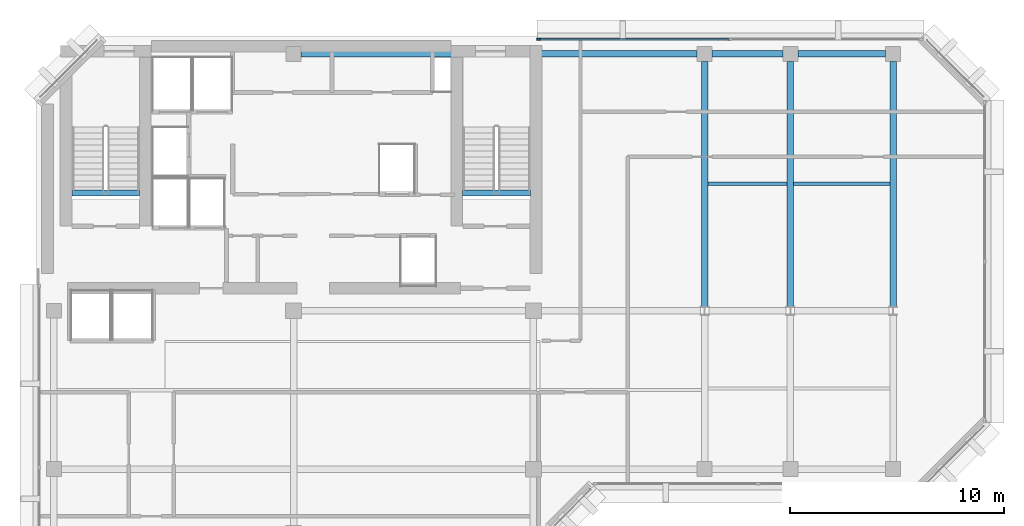
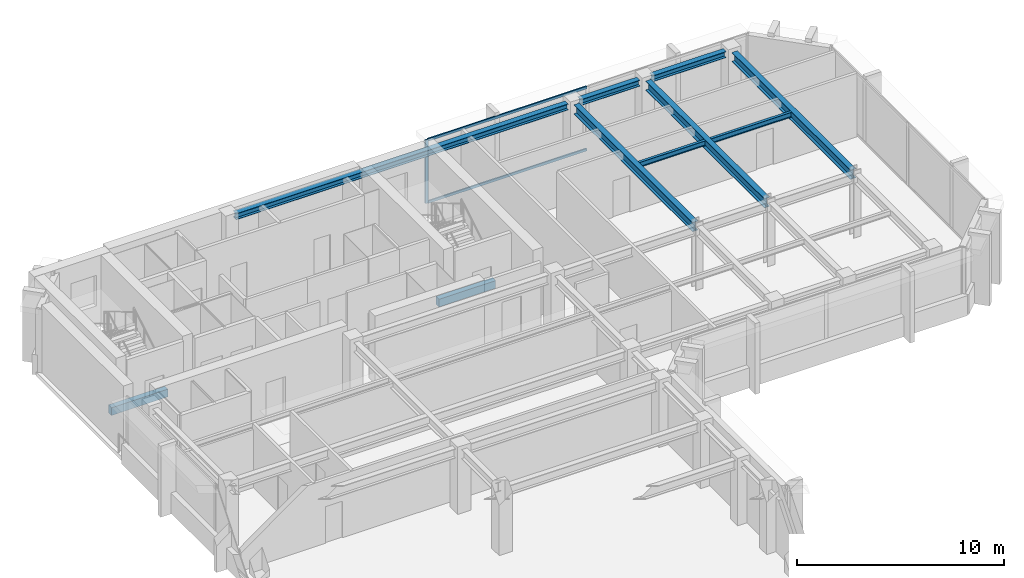
# One storey, part 4 of 12: 10 beams, 3 members, 1 element without a shape of its own.
"""IFC4 building model written with IfcOpenShell, lengths in metres."""

from ifc_helpers import new_model, si_unit, direction, frame, origin, origin_2d, place, context, subcontext, project, spatial, rectangle, i_section, extrude, material, layer, layer_set, material_profile, profile_set, type_object, element, aggregate, save


model = new_model("IFC4")

# Units and contexts
model_context = context("Model", 3, precision=1e-05, world=origin(), true_north=direction((0.0, 1.0)))
body_context = subcontext(model_context, "Body", "Model", "MODEL_VIEW")
ifc_project = project(units=[si_unit("LENGTHUNIT", "METRE"), si_unit("AREAUNIT", "SQUARE_METRE"), si_unit("VOLUMEUNIT", "CUBIC_METRE"), si_unit("PLANEANGLEUNIT", "RADIAN"), si_unit("MASSUNIT", "GRAM", prefix="KILO")], contexts=[model_context])

# Site, building, storey
site_placement = place(None, origin())
site = spatial("IfcSite", under=ifc_project, at=site_placement, CompositionType="ELEMENT")
building_placement = place(site_placement, origin())
building = spatial("IfcBuilding", under=site, at=building_placement, Name="Kefirva Bronze Tower", CompositionType="ELEMENT")
storey_placement = place(building_placement, frame((0.0, 0.0, 339.570068359375)))
storey = spatial("IfcBuildingStorey", under=building, at=storey_placement, Name="L83", CompositionType="ELEMENT", Elevation=339.570068359375)

# Curtain wall, members
ifc_material_1 = material(Name="Bronze anodised aluminium", Category="aluminium")
ifc_layer = layer(ifc_material_1, 0.179931640625, Name="Bronze anodised aluminium")
ifc_layer_set = layer_set([ifc_layer], Name="Bronze anodised aluminium")
curtain_wall_type = type_object("IfcCurtainWallType", Name="Unitised Bronze Ribbon Curtain Wall Zone 4", PredefinedType="USERDEFINED", material=ifc_layer_set)
curtain_wall_placement = place(storey_placement, origin())
curtain_wall = element("IfcCurtainWall", 1, at=curtain_wall_placement, inside=storey, type_object=curtain_wall_type, Name="L83 Curtain Wall 3", ObjectType="UNITISED CURTAIN WALL", PredefinedType="USERDEFINED")
ifc_material_profile_1 = material_profile(ifc_material_1, rectangle(XDim=0.074951171875, YDim=0.179931640625, at=origin_2d()), Name="ALU 75x180")
ifc_profile_set_1 = profile_set([ifc_material_profile_1], Name="Bronze anodised aluminium")
member_type_1 = type_object("IfcMemberType", Name="Bronze Mullion 75x180", PredefinedType="MULLION", material=ifc_profile_set_1)
member_1_placement = place(storey_placement, frame((23.4423828125, 45.8798828125, 0.0), z_axis=(0.0, 0.0, 1.0), x_axis=(0.0, -1.0, 0.0)))
member_1 = element("IfcMember", 2, at=member_1_placement, type_object=member_type_1, Name="CW-04 mullion 3", PredefinedType="MULLION", context=body_context, shape_type="SweptSolid", body=[
    extrude(rectangle(XDim=0.074951171875, YDim=0.179931640625, at=origin_2d()), origin(), (0.0, 0.0, 1.0), 3.739990234375),
])
ifc_material_profile_2 = material_profile(ifc_material_1, rectangle(XDim=0.074951171875, YDim=0.14990234375, at=origin_2d()), Name="ALU 75x150")
ifc_profile_set_2 = profile_set([ifc_material_profile_2], Name="Bronze anodised aluminium")
member_type_2 = type_object("IfcMemberType", Name="Bronze Transom 75x150", PredefinedType="USERDEFINED", material=ifc_profile_set_2)
member_2_placement = place(storey_placement, frame((32.33740234375, 45.8798828125, 0.037353515625), z_axis=(-1.0, 0.0, 0.0), x_axis=(0.0, -1.0, 0.0)))
member_2 = element("IfcMember", 3, at=member_2_placement, type_object=member_type_2, Name="CW-04 transom 2.1", ObjectType="TRANSOM", PredefinedType="USERDEFINED", context=body_context, shape_type="SweptSolid", body=[
    extrude(rectangle(XDim=0.074951171875, YDim=0.14990234375, at=origin_2d()), origin(), (0.0, 0.0, 1.0), 8.857421875),
])
member_3_placement = place(storey_placement, frame((32.33740234375, 45.8798828125, 3.702392578125), z_axis=(-1.0, 0.0, 0.0), x_axis=(0.0, -1.0, 0.0)))
member_3 = element("IfcMember", 4, at=member_3_placement, type_object=member_type_2, Name="CW-04 transom 2.2", ObjectType="TRANSOM", PredefinedType="USERDEFINED", context=body_context, shape_type="SweptSolid", body=[
    extrude(rectangle(XDim=0.074951171875, YDim=0.14990234375, at=origin_2d()), origin(), (0.0, 0.0, 1.0), 8.857421875),
])
aggregate(curtain_wall, [member_1, member_2, member_3])

# Beams
ifc_material_2 = material(Name="Concrete C50/60", Category="concrete")
ifc_material_profile_3 = material_profile(ifc_material_2, rectangle(XDim=0.300048828125, YDim=0.449951171875, at=origin_2d()), Name="RC 300x450")
ifc_profile_set_3 = profile_set([ifc_material_profile_3], Name="Concrete C50/60")
beam_type_1 = type_object("IfcBeamType", Name="RC Stair Trimmer Beam 300x450", PredefinedType="BEAM", material=ifc_profile_set_3)
beam_1_placement = place(storey_placement, frame((1.64501953125, 38.699951171875, -0.22509765625), z_axis=(1.0, 0.0, 0.0), x_axis=(0.0, 1.0, 0.0)))
element("IfcBeam", 5, at=beam_1_placement, inside=storey, type_object=beam_type_1, Name="L83 Stair 1 Landing Trimmer Beam", PredefinedType="BEAM", context=body_context, shape_type="SweptSolid", body=[
    extrude(rectangle(XDim=0.300048828125, YDim=0.449951171875, at=origin_2d()), origin(), (0.0, 0.0, 1.0), 3.14990234375),
])
beam_2_placement = place(storey_placement, frame((19.89501953125, 38.699951171875, -0.22509765625), z_axis=(1.0, 0.0, 0.0), x_axis=(0.0, 1.0, 0.0)))
element("IfcBeam", 6, at=beam_2_placement, inside=storey, type_object=beam_type_1, Name="L83 Stair 2 Landing Trimmer Beam", PredefinedType="BEAM", context=body_context, shape_type="SweptSolid", body=[
    extrude(rectangle(XDim=0.300048828125, YDim=0.449951171875, at=origin_2d()), origin(), (0.0, 0.0, 1.0), 3.159912109375),
])
ifc_material_3 = material(Name="Steel S355", Category="steel")
ifc_material_profile_4 = material_profile(ifc_material_3, i_section(OverallWidth=0.14990234375, OverallDepth=0.300048828125, WebThickness=0.007080078125, FlangeThickness=0.0107421875, at=origin_2d()), Name="IPE 300")
ifc_profile_set_4 = profile_set([ifc_material_profile_4], Name="Steel S355")
beam_type_2 = type_object("IfcBeamType", Name="Steel Floor Joist IPE 300", PredefinedType="JOIST", material=ifc_profile_set_4)
beam_3_placement = place(storey_placement, frame((31.35009765625, 39.12890625, 3.58984375), z_axis=(1.0, 0.0, 0.0), x_axis=(0.0, 1.0, 0.0)))
element("IfcBeam", 7, at=beam_3_placement, inside=storey, type_object=beam_type_2, Name="L83 JST-L83-31-391", PredefinedType="JOIST", context=body_context, shape_type="SweptSolid", body=[
    extrude(i_section(OverallWidth=0.14990234375, OverallDepth=0.300048828125, WebThickness=0.007080078125, FlangeThickness=0.0107421875, at=origin_2d()), origin(), (0.0, 0.0, 1.0), 3.699951171875),
])
beam_4_placement = place(storey_placement, frame((35.35009765625, 39.12890625, 3.58984375), z_axis=(1.0, 0.0, 0.0), x_axis=(0.0, 1.0, 0.0)))
element("IfcBeam", 8, at=beam_4_placement, inside=storey, type_object=beam_type_2, Name="L83 JST-L83-35-391", PredefinedType="JOIST", context=body_context, shape_type="SweptSolid", body=[
    extrude(i_section(OverallWidth=0.14990234375, OverallDepth=0.300048828125, WebThickness=0.007080078125, FlangeThickness=0.0107421875, at=origin_2d()), origin(), (0.0, 0.0, 1.0), 4.5),
])
ifc_material_profile_5 = material_profile(ifc_material_3, i_section(OverallWidth=0.300048828125, OverallDepth=0.550048828125, WebThickness=0.014892578125, FlangeThickness=0.029052734375, at=origin_2d()), Name="HEB 550")
ifc_profile_set_5 = profile_set([ifc_material_profile_5], Name="Steel S355")
beam_type_3 = type_object("IfcBeamType", Name="Steel Girder HEB 550", PredefinedType="USERDEFINED", material=ifc_profile_set_5)
for number, where, z_axis, x_axis, name in (
    (9, (31.199951171875, 33.407958984375, 3.46484375), (0.0, 1.0, 0.0), (-1.0, 0.0, 0.0), "L83 BM-L83-NS-312-33"),
    (10, (35.199951171875, 33.407958984375, 3.46484375), (0.0, 1.0, 0.0), (-1.0, 0.0, 0.0), "L83 BM-L83-NS-352-33"),
    (11, (40.0, 33.407958984375, 3.46484375), (0.0, 1.0, 0.0), (-1.0, 0.0, 0.0), "L83 BM-L83-NS-400-33"),
):
    element("IfcBeam", number, at=place(storey_placement, frame(where, z_axis=z_axis, x_axis=x_axis)), inside=storey, type_object=beam_type_3, Name=name, ObjectType="GIRDER", PredefinedType="USERDEFINED", context=body_context, shape_type="SweptSolid", body=[
        extrude(i_section(OverallWidth=0.300048828125, OverallDepth=0.550048828125, WebThickness=0.014892578125, FlangeThickness=0.029052734375, at=origin_2d()), origin(), (0.0, 0.0, 1.0), 11.442138671875),
    ])
ifc_material_profile_6 = material_profile(ifc_material_3, i_section(OverallWidth=0.300048828125, OverallDepth=0.360107421875, WebThickness=0.012451171875, FlangeThickness=0.0224609375, at=origin_2d()), Name="HEB 360")
ifc_profile_set_6 = profile_set([ifc_material_profile_6], Name="Steel S355")
beam_type_4 = type_object("IfcBeamType", Name="Steel Spandrel HEB 360 Ext", PredefinedType="SPANDREL", material=ifc_profile_set_6)
beam_5_placement = place(storey_placement, frame((12.35009765625, 45.199951171875, 3.559814453125), z_axis=(1.0, 0.0, 0.0), x_axis=(0.0, 1.0, 0.0)))
element("IfcBeam", 12, at=beam_5_placement, inside=storey, type_object=beam_type_4, Name="L83 BM-L83-EW-12-452", PredefinedType="SPANDREL", context=body_context, shape_type="SweptSolid", body=[
    extrude(i_section(OverallWidth=0.300048828125, OverallDepth=0.360107421875, WebThickness=0.012451171875, FlangeThickness=0.0224609375, at=origin_2d()), origin(), (0.0, 0.0, 1.0), 18.5),
])
beam_6_placement = place(storey_placement, frame((31.550048828125, 45.199951171875, 3.559814453125), z_axis=(1.0, 0.0, 0.0), x_axis=(0.0, 1.0, 0.0)))
element("IfcBeam", 13, at=beam_6_placement, inside=storey, type_object=beam_type_4, Name="L83 BM-L83-EW-31-452", PredefinedType="SPANDREL", context=body_context, shape_type="SweptSolid", body=[
    extrude(i_section(OverallWidth=0.300048828125, OverallDepth=0.360107421875, WebThickness=0.012451171875, FlangeThickness=0.0224609375, at=origin_2d()), origin(), (0.0, 0.0, 1.0), 3.300048828125),
])
beam_7_placement = place(storey_placement, frame((35.550048828125, 45.199951171875, 3.559814453125), z_axis=(1.0, 0.0, 0.0), x_axis=(0.0, 1.0, 0.0)))
element("IfcBeam", 14, at=beam_7_placement, inside=storey, type_object=beam_type_4, Name="L83 BM-L83-EW-35-452", PredefinedType="SPANDREL", context=body_context, shape_type="SweptSolid", body=[
    extrude(i_section(OverallWidth=0.300048828125, OverallDepth=0.360107421875, WebThickness=0.012451171875, FlangeThickness=0.0224609375, at=origin_2d()), origin(), (0.0, 0.0, 1.0), 4.099853515625),
])

save(model, "model.ifc")
